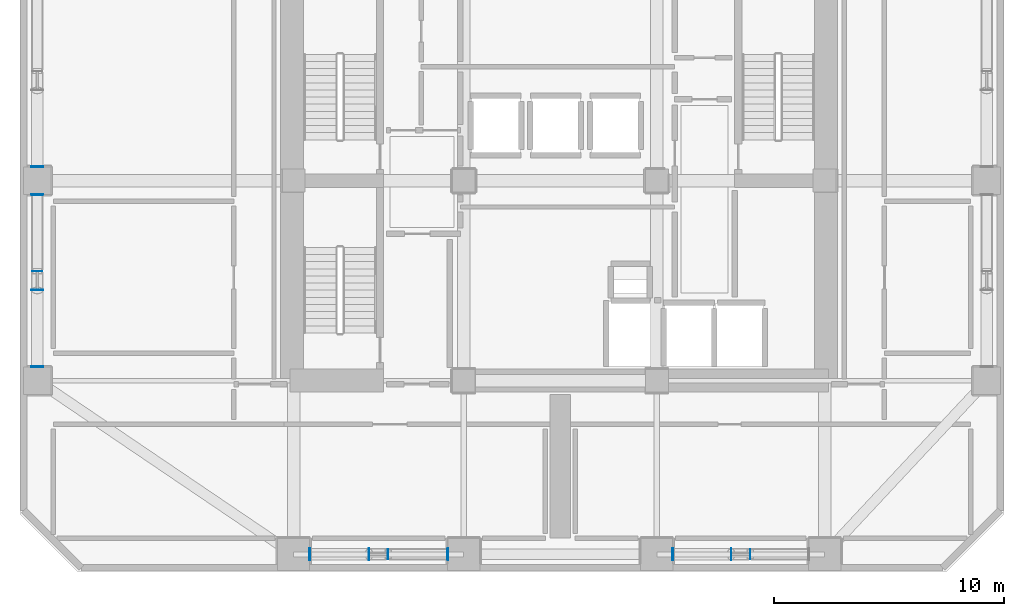
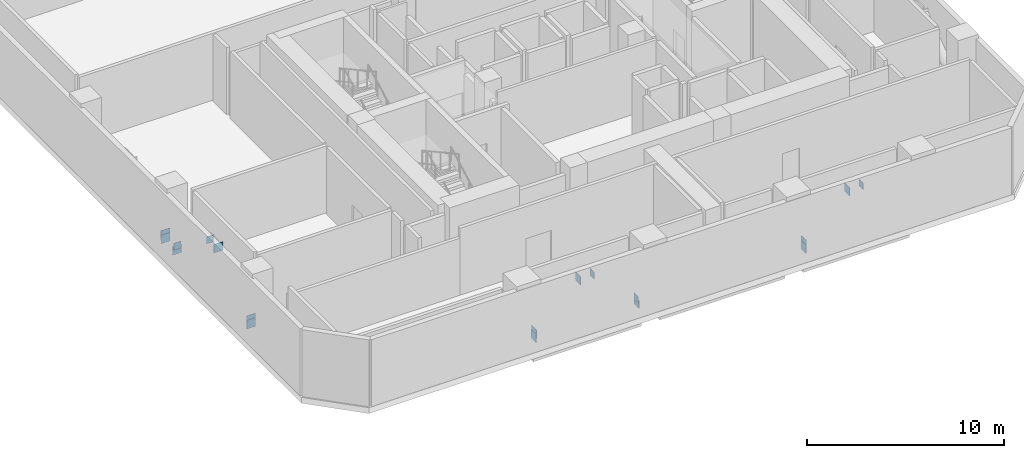
# One storey, part 3 of 11: 18 plates.
"""IFC4 building model written with IfcOpenShell, lengths in metres."""

import ifcopenshell
import ifcopenshell.guid

model = None  # the IFC model being written
_history = None  # IfcOwnerHistory: only IFC2X3 demands one
_inside = {}  # id of a spatial element -> (the spatial element, [elements in it])
_under = {}  # id of a project, library or spatial element -> (it, [spatial elements below it])
_declared = {}  # id of a project -> (the project, [libraries it declares])
_typed = {}  # id of a type object -> (the type object, [elements of that type])
_made_of = {}  # id of a material, layer set ... -> (it, [elements and type objects made of it])


def new_model(schema):
    """Start an empty IFC model of exactly this schema.

    Asked for "IFC4X3", IfcOpenShell would pick the latest addendum, in which some entities
    have other attributes; the version numbers below select the first issue.
    IFC2X3 requires an IfcOwnerHistory on every rooted entity: one is made here for all.
    """
    global model, _history
    if schema == "IFC4X3":
        model = ifcopenshell.file(schema_version=(4, 3, 0, 0))
    else:
        model = ifcopenshell.file(schema=schema)
    _inside.clear()
    _under.clear()
    _declared.clear()
    _typed.clear()
    _made_of.clear()
    _history = None
    if model.schema == "IFC2X3":
        org = make("IfcOrganization", Name="unknown")
        user = make(
            "IfcPersonAndOrganization",
            ThePerson=make("IfcPerson", FamilyName="unknown"),
            TheOrganization=org,
        )
        app = make(
            "IfcApplication",
            ApplicationDeveloper=org,
            Version="unknown",
            ApplicationFullName="unknown",
            ApplicationIdentifier="unknown",
        )
        _history = make(
            "IfcOwnerHistory",
            OwningUser=user,
            OwningApplication=app,
            ChangeAction="ADDED",
            CreationDate=0,
        )
    return model


def make(cls, **values):
    """One entity of the class cls with the attributes given. An attribute that is None is left unset."""
    return model.create_entity(
        cls, **{name: value for name, value in values.items() if value is not None}
    )


def rooted(cls, **values):
    """An entity with a GlobalId (a new one), such as an element, a storey or a relation."""
    return make(cls, GlobalId=ifcopenshell.guid.new(), OwnerHistory=_history, **values)


def si_unit(unit_type, name, prefix=None):
    """IfcSIUnit, for example si_unit("LENGTHUNIT", "METRE", prefix="MILLI")."""
    return make("IfcSIUnit", UnitType=unit_type, Prefix=prefix, Name=name)


def assignment(units):
    """IfcUnitAssignment: the units of a project."""
    return None if units is None else make("IfcUnitAssignment", Units=units)


def point(xyz):
    """IfcCartesianPoint."""
    return None if xyz is None else make("IfcCartesianPoint", Coordinates=xyz)


def direction(xyz):
    """IfcDirection."""
    return None if xyz is None else make("IfcDirection", DirectionRatios=xyz)


def frame(location, z_axis=None, x_axis=None):
    """IfcAxis2Placement3D, a coordinate frame: its origin and axes. An axis left out is left unset."""
    return make(
        "IfcAxis2Placement3D",
        Location=point(location),
        Axis=direction(z_axis),
        RefDirection=direction(x_axis),
    )


def frame_2d(location, x_axis=None):
    """IfcAxis2Placement2D, a coordinate frame in the plane: its origin and x axis."""
    return make(
        "IfcAxis2Placement2D", Location=point(location), RefDirection=direction(x_axis)
    )


def origin():
    """The frame at (0, 0, 0) with its axes left unset."""
    return frame((0.0, 0.0, 0.0))


def origin_2d():
    """The frame at (0, 0) in the plane with its x axis left unset."""
    return frame_2d((0.0, 0.0))


def place(relative_to, where):
    """IfcLocalPlacement: puts the frame where relative to a parent placement (None: the world)."""
    return make(
        "IfcLocalPlacement", PlacementRelTo=relative_to, RelativePlacement=where
    )


def context(
    kind, dimensions, precision=None, world=None, true_north=None, identifier=None
):
    """IfcGeometricRepresentationContext, for example the 3D "Model" context."""
    return make(
        "IfcGeometricRepresentationContext",
        ContextIdentifier=identifier,
        ContextType=kind,
        CoordinateSpaceDimension=dimensions,
        Precision=precision,
        WorldCoordinateSystem=world,
        TrueNorth=true_north,
    )


def subcontext(parent, identifier, kind, view, scale=None):
    """IfcGeometricRepresentationSubContext, for example "Body" below "Model"."""
    return make(
        "IfcGeometricRepresentationSubContext",
        ContextIdentifier=identifier,
        ContextType=kind,
        ParentContext=parent,
        TargetScale=scale,
        TargetView=view,
    )


def project(units=None, contexts=None):
    """IfcProject with its units and contexts."""
    return rooted(
        "IfcProject",
        Name="project",
        RepresentationContexts=contexts,
        UnitsInContext=assignment(units),
    )


def spatial(cls, under=None, at=None, **own):
    """A site, building, storey or space (cls), placed at a placement, below another one or the project."""
    s = rooted(cls, ObjectPlacement=at, **own)
    if under is not None:
        _under.setdefault(under.id(), (under, []))[1].append(s)
    return s


def profile(cls, at=None, kind="AREA", **sizes):
    """A parametric profile (cls). Its sizes go by their IFC names, for example OverallWidth=200.0."""
    return make(cls, ProfileType=kind, Position=at, **sizes)


def rectangle(**sizes):
    """IfcRectangleProfileDef."""
    return profile("IfcRectangleProfileDef", **sizes)


def extrude(swept, where, along, depth):
    """IfcExtrudedAreaSolid: the profile swept, set in the frame where, extruded along a direction by depth."""
    return make(
        "IfcExtrudedAreaSolid",
        SweptArea=swept,
        Position=where,
        ExtrudedDirection=direction(along),
        Depth=depth,
    )


def shape(context_of_items, identifier, shape_type, items):
    """IfcShapeRepresentation: the items that make up one representation, for example the "Body"."""
    return make(
        "IfcShapeRepresentation",
        ContextOfItems=context_of_items,
        RepresentationIdentifier=identifier,
        RepresentationType=shape_type,
        Items=items,
    )


def material(Name=None, Category=None):
    """IfcMaterial."""
    return make("IfcMaterial", Name=Name, Category=Category)


def layer(
    of_material, thickness, ventilated=None, Name=None, Category=None, Priority=None
):
    """IfcMaterialLayer: one layer of a wall or slab, of a material (None: an air gap)."""
    return make(
        "IfcMaterialLayer",
        Material=of_material,
        LayerThickness=thickness,
        IsVentilated=ventilated,
        Name=Name,
        Category=Category,
        Priority=Priority,
    )


def layer_set(layers, Name=None):
    """IfcMaterialLayerSet."""
    return make("IfcMaterialLayerSet", MaterialLayers=layers, LayerSetName=Name)


def made_of(thing, what):
    """Note that an element or type object is made of a material, layer set ...; save() writes the relation."""
    if what is not None:
        _made_of.setdefault(what.id(), (what, []))[1].append(thing)
    return thing


def type_object(cls, material=None, **own):
    """A type object (cls), such as IfcWallType, which elements share."""
    return made_of(rooted(cls, **own), material)


def element(
    cls,
    number,
    at=None,
    inside=None,
    cuts=None,
    type_object=None,
    material=None,
    context=None,
    identifier="Body",
    shape_type=None,
    held_by="IfcProductDefinitionShape",
    body=None,
    shapes=None,
    **own,
):
    """One element of the class cls, such as IfcWall. Its Tag is "e" and its number.

    at: its placement. inside: the storey or other place that contains it. cuts: it is an
    opening in that element (IfcRelVoidsElement). A single representation is given by context,
    identifier, shape_type and body (its items); several are given by shapes. held_by: the class
    of the entity that holds the representations. save() writes the other relations.
    """
    e = rooted(cls, Tag="e%d" % number, ObjectPlacement=at, **own)
    if body is not None:
        shapes = [shape(context, identifier, shape_type, body)]
    if shapes is not None:
        e.Representation = make(held_by, Representations=shapes)
    if inside is not None:
        _inside.setdefault(inside.id(), (inside, []))[1].append(e)
    if cuts is not None:
        rooted(
            "IfcRelVoidsElement", RelatingBuildingElement=cuts, RelatedOpeningElement=e
        )
    if type_object is not None:
        _typed.setdefault(type_object.id(), (type_object, []))[1].append(e)
    return made_of(e, material)


def aggregate(whole, parts):
    """IfcRelAggregates: a whole, such as a stair, and the parts it consists of."""
    return rooted("IfcRelAggregates", RelatingObject=whole, RelatedObjects=parts)


def save(model, path):
    """Write the relations noted so far, then the file.

    IfcRelAggregates (storeys below a building ...), IfcRelContainedInSpatialStructure (elements
    in a storey), IfcRelDefinesByType, IfcRelAssociatesMaterial and IfcRelDeclares: one each for
    every whole, place, type object, material and project.
    """
    for whole, parts in _under.values():
        aggregate(whole, parts)
    for where, things in _inside.values():
        rooted(
            "IfcRelContainedInSpatialStructure",
            RelatedElements=things,
            RelatingStructure=where,
        )
    for kind, things in _typed.values():
        rooted("IfcRelDefinesByType", RelatedObjects=things, RelatingType=kind)
    for what, things in _made_of.values():
        rooted("IfcRelAssociatesMaterial", RelatedObjects=things, RelatingMaterial=what)
    for by, libraries in _declared.values():
        rooted("IfcRelDeclares", RelatingContext=by, RelatedDefinitions=libraries)
    model.write(path)


model = new_model("IFC4")

# Units and contexts
model_context = context("Model", 3, precision=1e-05, world=origin(), true_north=direction((0.0, 1.0)))
body_context = subcontext(model_context, "Body", "Model", "MODEL_VIEW")
ifc_project = project(units=[si_unit("LENGTHUNIT", "METRE"), si_unit("AREAUNIT", "SQUARE_METRE"), si_unit("VOLUMEUNIT", "CUBIC_METRE"), si_unit("PLANEANGLEUNIT", "RADIAN"), si_unit("MASSUNIT", "GRAM", prefix="KILO")], contexts=[model_context])

# Site, building, storey
site_placement = place(None, origin())
site = spatial("IfcSite", under=ifc_project, at=site_placement, CompositionType="ELEMENT")
building_placement = place(site_placement, origin())
building = spatial("IfcBuilding", under=site, at=building_placement, Name="Solanera Arch Residences", CompositionType="ELEMENT")
storey_placement = place(building_placement, frame((0.0, 0.0, 88.39990234375)))
storey = spatial("IfcBuildingStorey", under=building, at=storey_placement, Name="L25", CompositionType="ELEMENT", Elevation=88.39990234375)

# Plates
ifc_material = material(Name="Steel S355 (ASTM A992 / A572 Grade 50)", Category="steel")
ifc_layer = layer(ifc_material, 0.02001953125)
ifc_layer_set = layer_set([ifc_layer], Name="Steel S355 (ASTM A992 / A572 Grade 50)")
plate_type = type_object("IfcPlateType", Name="End Cap Plate EC-20", PredefinedType="USERDEFINED", material=ifc_layer_set)
for number, where, z_axis, x_axis, name in (
    (1, (14.090087890625, 14.449951171875, 0.190185546875), (0.0, 0.0, 1.0), (-1.0, 0.0, 0.0), "Hollow Section End Cap 121"),
    (2, (20.110107421875, 14.449951171875, 0.190185546875), (0.0, 0.0, 1.0), (1.0, 0.0, 0.0), "Hollow Section End Cap 122"),
):
    element("IfcPlate", number, at=place(storey_placement, frame(where, z_axis=z_axis, x_axis=x_axis)), inside=storey, type_object=plate_type, Name=name, ObjectType="STIFFENER", PredefinedType="USERDEFINED", context=body_context, shape_type="SweptSolid", body=[
        extrude(rectangle(XDim=0.02001953125, YDim=0.52001953125, at=origin_2d()), origin(), (0.0, 0.0, 1.0), 0.52001953125),
    ])
for number, where, z_axis, x_axis, name in (
    (3, (14.113037109375, 14.449951171875, 0.44921875), (0.0, 0.0, 1.0), (-1.0, 0.0, 0.0), "Hollow Section End Cap 123"),
    (4, (16.68701171875, 14.449951171875, 2.85791015625), (0.0, 0.0, 1.0), (1.0, 0.0, 0.0), "Hollow Section End Cap 124"),
):
    element("IfcPlate", number, at=place(storey_placement, frame(where, z_axis=z_axis, x_axis=x_axis)), inside=storey, type_object=plate_type, Name=name, ObjectType="STIFFENER", PredefinedType="USERDEFINED", context=body_context, shape_type="SweptSolid", body=[
        extrude(rectangle(XDim=0.02001953125, YDim=0.528076171875, at=origin_2d()), origin(), (0.0, 0.0, 1.0), 0.528076171875),
    ])
for number, where, z_axis, x_axis, name in (
    (5, (20.0869140625, 14.449951171875, 0.503173828125), (0.0, 0.0, 1.0), (1.0, 0.0, 0.0), "Hollow Section End Cap 125"),
    (6, (17.512939453125, 14.449951171875, 2.912109375), (0.0, 0.0, 1.0), (-1.0, 0.0, 0.0), "Hollow Section End Cap 126"),
):
    element("IfcPlate", number, at=place(storey_placement, frame(where, z_axis=z_axis, x_axis=x_axis)), inside=storey, type_object=plate_type, Name=name, ObjectType="STIFFENER", PredefinedType="USERDEFINED", context=body_context, shape_type="SweptSolid", body=[
        extrude(rectangle(XDim=0.02001953125, YDim=0.419921875, at=origin_2d()), origin(), (0.0, 0.0, 1.0), 0.419921875),
    ])
plate_1_placement = place(storey_placement, frame((29.889892578125, 14.449951171875, 0.190185546875), z_axis=(0.0, 0.0, 1.0), x_axis=(-1.0, 0.0, 0.0)))
element("IfcPlate", 7, at=plate_1_placement, inside=storey, type_object=plate_type, Name="Hollow Section End Cap 127", ObjectType="STIFFENER", PredefinedType="USERDEFINED", context=body_context, shape_type="SweptSolid", body=[
    extrude(rectangle(XDim=0.02001953125, YDim=0.52001953125, at=origin_2d()), origin(), (0.0, 0.0, 1.0), 0.52001953125),
])
for number, where, z_axis, x_axis, name in (
    (8, (29.9130859375, 14.449951171875, 0.44921875), (0.0, 0.0, 1.0), (-1.0, 0.0, 0.0), "Hollow Section End Cap 129"),
    (9, (32.43701171875, 14.449951171875, 2.85791015625), (0.0, 0.0, 1.0), (1.0, 0.0, 0.0), "Hollow Section End Cap 130"),
):
    element("IfcPlate", number, at=place(storey_placement, frame(where, z_axis=z_axis, x_axis=x_axis)), inside=storey, type_object=plate_type, Name=name, ObjectType="STIFFENER", PredefinedType="USERDEFINED", context=body_context, shape_type="SweptSolid", body=[
        extrude(rectangle(XDim=0.02001953125, YDim=0.528076171875, at=origin_2d()), origin(), (0.0, 0.0, 1.0), 0.528076171875),
    ])
plate_2_placement = place(storey_placement, frame((33.262939453125, 14.449951171875, 2.912109375), z_axis=(0.0, 0.0, 1.0), x_axis=(-1.0, 0.0, 0.0)))
element("IfcPlate", 10, at=plate_2_placement, inside=storey, type_object=plate_type, Name="Hollow Section End Cap 132", ObjectType="STIFFENER", PredefinedType="USERDEFINED", context=body_context, shape_type="SweptSolid", body=[
    extrude(rectangle(XDim=0.02001953125, YDim=0.419921875, at=origin_2d()), origin(), (0.0, 0.0, 1.0), 0.419921875),
])
for number, where, z_axis, x_axis, name in (
    (11, (2.25, 22.590087890625, 0.190185546875), (0.0, 0.0, 1.0), (0.0, -1.0, 0.0), "Hollow Section End Cap 145"),
    (12, (2.25, 30.110107421875, 0.190185546875), (0.0, 0.0, 1.0), (0.0, 1.0, 0.0), "Hollow Section End Cap 146"),
):
    element("IfcPlate", number, at=place(storey_placement, frame(where, z_axis=z_axis, x_axis=x_axis)), inside=storey, type_object=plate_type, Name=name, ObjectType="STIFFENER", PredefinedType="USERDEFINED", context=body_context, shape_type="SweptSolid", body=[
        extrude(rectangle(XDim=0.02001953125, YDim=0.52001953125, at=origin_2d()), origin(), (0.0, 0.0, 1.0), 0.52001953125),
    ])
for number, where, z_axis, x_axis, name in (
    (13, (2.25, 22.612060546875, 0.4501953125), (0.0, 0.0, 1.0), (0.0, -1.0, 0.0), "Hollow Section End Cap 147"),
    (14, (2.25, 25.93798828125, 2.85693359375), (0.0, 0.0, 1.0), (0.0, 1.0, 0.0), "Hollow Section End Cap 148"),
):
    element("IfcPlate", number, at=place(storey_placement, frame(where, z_axis=z_axis, x_axis=x_axis)), inside=storey, type_object=plate_type, Name=name, ObjectType="STIFFENER", PredefinedType="USERDEFINED", context=body_context, shape_type="SweptSolid", body=[
        extrude(rectangle(XDim=0.02001953125, YDim=0.528076171875, at=origin_2d()), origin(), (0.0, 0.0, 1.0), 0.528076171875),
    ])
for number, where, z_axis, x_axis, name in (
    (15, (2.25, 30.087890625, 0.504150390625), (0.0, 0.0, 1.0), (0.0, 1.0, 0.0), "Hollow Section End Cap 149"),
    (16, (2.25, 26.761962890625, 2.9111328125), (0.0, 0.0, 1.0), (0.0, -1.0, 0.0), "Hollow Section End Cap 150"),
):
    element("IfcPlate", number, at=place(storey_placement, frame(where, z_axis=z_axis, x_axis=x_axis)), inside=storey, type_object=plate_type, Name=name, ObjectType="STIFFENER", PredefinedType="USERDEFINED", context=body_context, shape_type="SweptSolid", body=[
        extrude(rectangle(XDim=0.02001953125, YDim=0.419921875, at=origin_2d()), origin(), (0.0, 0.0, 1.0), 0.419921875),
    ])
plate_3_placement = place(storey_placement, frame((2.25, 31.2900390625, 0.190185546875), z_axis=(0.0, 0.0, 1.0), x_axis=(0.0, -1.0, 0.0)))
element("IfcPlate", 17, at=plate_3_placement, inside=storey, type_object=plate_type, Name="Hollow Section End Cap 151", ObjectType="STIFFENER", PredefinedType="USERDEFINED", context=body_context, shape_type="SweptSolid", body=[
    extrude(rectangle(XDim=0.02001953125, YDim=0.52001953125, at=origin_2d()), origin(), (0.0, 0.0, 1.0), 0.52001953125),
])
plate_4_placement = place(storey_placement, frame((2.25, 31.31201171875, 0.4501953125), z_axis=(0.0, 0.0, 1.0), x_axis=(0.0, -1.0, 0.0)))
element("IfcPlate", 18, at=plate_4_placement, inside=storey, type_object=plate_type, Name="Hollow Section End Cap 153", ObjectType="STIFFENER", PredefinedType="USERDEFINED", context=body_context, shape_type="SweptSolid", body=[
    extrude(rectangle(XDim=0.02001953125, YDim=0.528076171875, at=origin_2d()), origin(), (0.0, 0.0, 1.0), 0.528076171875),
])

save(model, "model.ifc")
